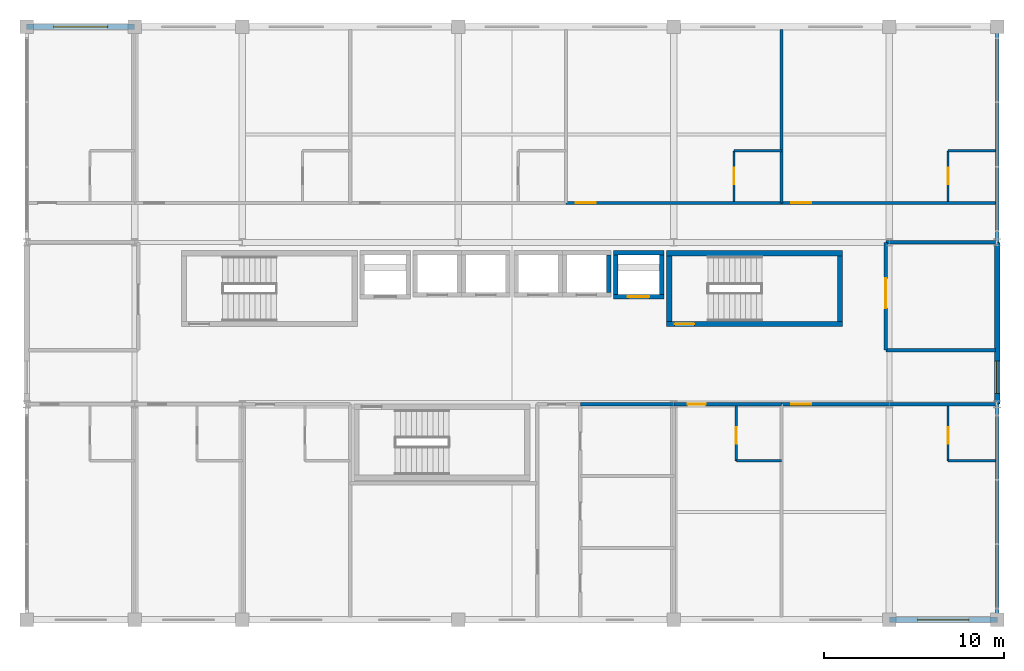
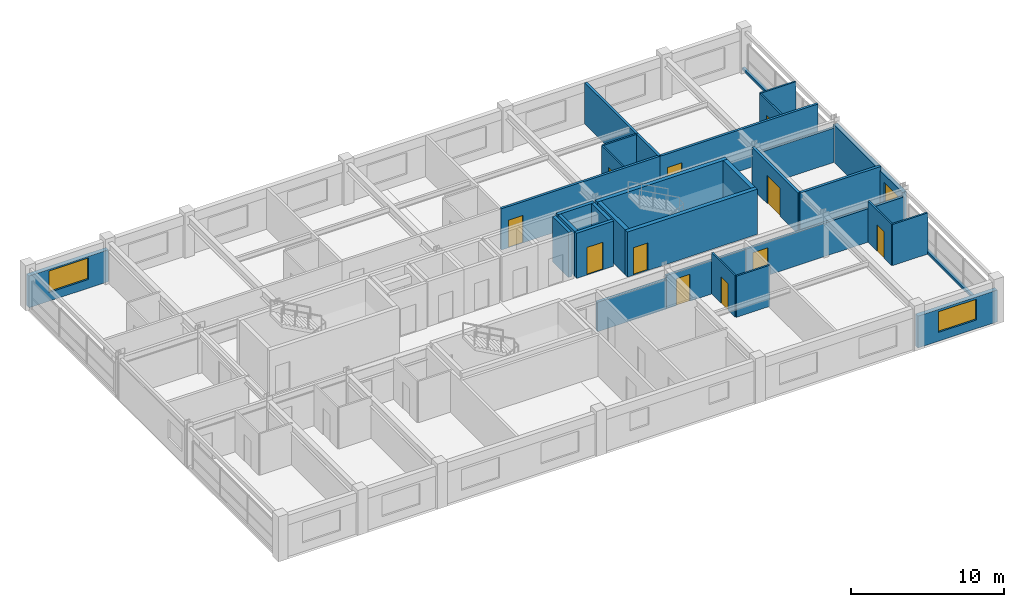
# One storey, part 18 of 20: 31 walls, 11 doors, 3 windows, 14 openings.
"""IFC4 building model written with IfcOpenShell, lengths in metres."""

from ifc_helpers import new_model, si_unit, direction, frame, frame_2d, origin, place, context, subcontext, project, spatial, rectangle, extrude, material, layer, layer_set, type_object, element, fill, save


model = new_model("IFC4")

# Units and contexts
model_context = context("Model", 3, precision=1e-05, world=origin(), true_north=direction((0.0, 1.0)))
body_context = subcontext(model_context, "Body", "Model", "MODEL_VIEW")
ifc_project = project(units=[si_unit("LENGTHUNIT", "METRE"), si_unit("AREAUNIT", "SQUARE_METRE"), si_unit("VOLUMEUNIT", "CUBIC_METRE"), si_unit("PLANEANGLEUNIT", "RADIAN"), si_unit("MASSUNIT", "GRAM", prefix="KILO")], contexts=[model_context])

# Site, building, storey
site_placement = place(None, origin())
site = spatial("IfcSite", under=ifc_project, at=site_placement, CompositionType="ELEMENT")
building_placement = place(site_placement, origin())
building = spatial("IfcBuilding", under=site, at=building_placement, Name="Kaldorvane Square Convention Centre", CompositionType="ELEMENT")
storey_placement = place(building_placement, frame((0.0, 0.0, 56.399993896484375)))
storey = spatial("IfcBuildingStorey", under=building, at=storey_placement, Name="L13", CompositionType="ELEMENT", Elevation=56.399993896484375)

# Wall, opening, door
ifc_material_1 = material(Name="Fire-Rated Gypsum Board on Acoustic Steel Studs", Category="steel")
ifc_layer_1 = layer(ifc_material_1, 0.125)
ifc_layer_set_1 = layer_set([ifc_layer_1], Name="Fire-Rated Gypsum Board on Acoustic Steel Studs")
wall_type_1 = type_object("IfcWallType", Name="WL-BATH-125", PredefinedType="PARTITIONING", material=ifc_layer_set_1)
wall_1_placement = place(storey_placement, frame((69.35000610351562, 107.28999328613281, 0.0), z_axis=(0.0, 0.0, 1.0), x_axis=(0.0, 1.0, 0.0)))
wall_1 = element("IfcWall", 1, at=wall_1_placement, inside=storey, type_object=wall_type_1, Name="En-Suite 1304 West Wall", PredefinedType="PARTITIONING", context=body_context, shape_type="SweptSolid", body=[
    extrude(rectangle(XDim=2.8100128173828125, YDim=0.125, at=frame_2d((1.404998779296875, 0.0))), origin(), (0.0, 0.0, 1.0), 3.290008544921875),
])
opening_1_placement = place(wall_1_placement, frame((0.9499969482421875, 0.0, 0.0)))
opening_1 = element("IfcOpeningElement", 2, at=opening_1_placement, cuts=wall_1, Name="Opening ID-12", PredefinedType="OPENING", context=body_context, shape_type="SweptSolid", body=[
    extrude(rectangle(XDim=0.9199981689453125, YDim=2.100006103515625, at=frame_2d((0.459991455078125, 1.0500030517578125))), frame((0.0, 0.0774993896484375, 0.0), z_axis=(0.0, -1.0, 0.0), x_axis=(1.0, 0.0, 0.0)), (0.0, 0.0, 1.0), 0.154998779296875),
])
ifc_material_2 = material(Name="Architectural Solid-Core White Oak")
door_type_1 = type_object("IfcDoorType", Name="DR-BATH-0920X2100", OperationType="SINGLE_SWING_RIGHT", PredefinedType="DOOR", material=ifc_material_2)
door_1_placement = place(opening_1_placement, origin())
door_1 = element("IfcDoor", 3, at=door_1_placement, inside=storey, type_object=door_type_1, Name="En-Suite Bathroom 1304 Door", OperationType="SINGLE_SWING_RIGHT", OverallHeight=2.100006103515625, OverallWidth=0.9199981689453125, PredefinedType="DOOR", context=body_context, shape_type="SweptSolid", body=[
    extrude(rectangle(XDim=0.9199981689453125, YDim=2.100006103515625, at=frame_2d((0.459991455078125, 1.0500030517578125))), frame((0.0, 0.024993896484375, 0.0), z_axis=(0.0, -1.0, 0.0), x_axis=(1.0, 0.0, 0.0)), (0.0, 0.0, 1.0), 0.0500030517578125),
])
fill(opening_1, door_1)

# Wall
wall_2_placement = place(storey_placement, frame((69.35000610351562, 110.10000610351562, 0.0), z_axis=(0.0, 0.0, 1.0), x_axis=(1.0, 0.0, 0.0)))
element("IfcWall", 4, at=wall_2_placement, inside=storey, type_object=wall_type_1, Name="En-Suite 1304 North Wall", PredefinedType="PARTITIONING", context=body_context, shape_type="SweptSolid", body=[
    extrude(rectangle(XDim=2.649993896484375, YDim=0.125, at=frame_2d((1.3249969482421875, 0.0))), origin(), (0.0, 0.0, 1.0), 3.290008544921875),
])

# Wall, opening, door
wall_3_placement = place(storey_placement, frame((81.26499938964844, 107.28999328613281, 0.0), z_axis=(0.0, 0.0, 1.0), x_axis=(0.0, 1.0, 0.0)))
wall_3 = element("IfcWall", 5, at=wall_3_placement, inside=storey, type_object=wall_type_1, Name="En-Suite 1305 West Wall", PredefinedType="PARTITIONING", context=body_context, shape_type="SweptSolid", body=[
    extrude(rectangle(XDim=2.8100128173828125, YDim=0.125, at=frame_2d((1.404998779296875, 0.0))), origin(), (0.0, 0.0, 1.0), 3.290008544921875),
])
opening_2_placement = place(wall_3_placement, frame((0.9499969482421875, 0.0, 0.0)))
opening_2 = element("IfcOpeningElement", 6, at=opening_2_placement, cuts=wall_3, Name="Opening ID-12", PredefinedType="OPENING", context=body_context, shape_type="SweptSolid", body=[
    extrude(rectangle(XDim=0.9199981689453125, YDim=2.100006103515625, at=frame_2d((0.459991455078125, 1.0500030517578125))), frame((0.0, 0.0774993896484375, 0.0), z_axis=(0.0, -1.0, 0.0), x_axis=(1.0, 0.0, 0.0)), (0.0, 0.0, 1.0), 0.154998779296875),
])
door_2_placement = place(opening_2_placement, origin())
door_2 = element("IfcDoor", 7, at=door_2_placement, inside=storey, type_object=door_type_1, Name="En-Suite Bathroom 1305 Door", OperationType="SINGLE_SWING_RIGHT", OverallHeight=2.100006103515625, OverallWidth=0.9199981689453125, PredefinedType="DOOR", context=body_context, shape_type="SweptSolid", body=[
    extrude(rectangle(XDim=0.9199981689453125, YDim=2.100006103515625, at=frame_2d((0.459991455078125, 1.0500030517578125))), frame((0.0, 0.024993896484375, 0.0), z_axis=(0.0, -1.0, 0.0), x_axis=(1.0, 0.0, 0.0)), (0.0, 0.0, 1.0), 0.0500030517578125),
])
fill(opening_2, door_2)

# Wall
wall_4_placement = place(storey_placement, frame((81.26499938964844, 110.10000610351562, 0.0), z_axis=(0.0, 0.0, 1.0), x_axis=(1.0, 0.0, 0.0)))
element("IfcWall", 8, at=wall_4_placement, inside=storey, type_object=wall_type_1, Name="En-Suite 1305 North Wall", PredefinedType="PARTITIONING", context=body_context, shape_type="SweptSolid", body=[
    extrude(rectangle(XDim=2.649993896484375, YDim=0.125, at=frame_2d((1.3249969482421875, 0.0))), origin(), (0.0, 0.0, 1.0), 3.290008544921875),
])

# Wall, opening, door
wall_5_placement = place(storey_placement, frame((69.47999572753906, 92.85000610351562, 0.0), z_axis=(0.0, 0.0, 1.0), x_axis=(0.0, 1.0, 0.0)))
wall_5 = element("IfcWall", 9, at=wall_5_placement, inside=storey, type_object=wall_type_1, Name="En-Suite 1309 West Wall", PredefinedType="PARTITIONING", context=body_context, shape_type="SweptSolid", body=[
    extrude(rectangle(XDim=3.05999755859375, YDim=0.125, at=frame_2d((1.529998779296875, 0.0))), origin(), (0.0, 0.0, 1.0), 3.290008544921875),
])
opening_3_placement = place(wall_5_placement, frame((0.9499969482421875, 0.0, 0.0)))
opening_3 = element("IfcOpeningElement", 10, at=opening_3_placement, cuts=wall_5, Name="Opening ID-12", PredefinedType="OPENING", context=body_context, shape_type="SweptSolid", body=[
    extrude(rectangle(XDim=0.9199981689453125, YDim=2.100006103515625, at=frame_2d((0.459991455078125, 1.0500030517578125))), frame((0.0, 0.0774993896484375, 0.0), z_axis=(0.0, -1.0, 0.0), x_axis=(1.0, 0.0, 0.0)), (0.0, 0.0, 1.0), 0.154998779296875),
])
door_3_placement = place(opening_3_placement, origin())
door_3 = element("IfcDoor", 11, at=door_3_placement, inside=storey, type_object=door_type_1, Name="En-Suite Bathroom 1309 Door", OperationType="SINGLE_SWING_RIGHT", OverallHeight=2.100006103515625, OverallWidth=0.9199981689453125, PredefinedType="DOOR", context=body_context, shape_type="SweptSolid", body=[
    extrude(rectangle(XDim=0.9199981689453125, YDim=2.100006103515625, at=frame_2d((0.459991455078125, 1.0500030517578125))), frame((0.0, 0.024993896484375, 0.0), z_axis=(0.0, -1.0, 0.0), x_axis=(1.0, 0.0, 0.0)), (0.0, 0.0, 1.0), 0.0500030517578125),
])
fill(opening_3, door_3)

# Wall
wall_6_placement = place(storey_placement, frame((69.47999572753906, 92.85000610351562, 0.0), z_axis=(0.0, 0.0, 1.0), x_axis=(1.0, 0.0, 0.0)))
element("IfcWall", 12, at=wall_6_placement, inside=storey, type_object=wall_type_1, Name="En-Suite 1309 South Wall", PredefinedType="PARTITIONING", context=body_context, shape_type="SweptSolid", body=[
    extrude(rectangle(XDim=2.5200042724609375, YDim=0.125, at=frame_2d((1.260009765625, 0.0))), origin(), (0.0, 0.0, 1.0), 3.290008544921875),
])

# Wall, opening, door
wall_7_placement = place(storey_placement, frame((81.26499938964844, 92.85000610351562, 0.0), z_axis=(0.0, 0.0, 1.0), x_axis=(0.0, 1.0, 0.0)))
wall_7 = element("IfcWall", 13, at=wall_7_placement, inside=storey, type_object=wall_type_1, Name="En-Suite 1310 West Wall", PredefinedType="PARTITIONING", context=body_context, shape_type="SweptSolid", body=[
    extrude(rectangle(XDim=3.05999755859375, YDim=0.125, at=frame_2d((1.529998779296875, 0.0))), origin(), (0.0, 0.0, 1.0), 3.290008544921875),
])
opening_4_placement = place(wall_7_placement, frame((0.9499969482421875, 0.0, 0.0)))
opening_4 = element("IfcOpeningElement", 14, at=opening_4_placement, cuts=wall_7, Name="Opening ID-12", PredefinedType="OPENING", context=body_context, shape_type="SweptSolid", body=[
    extrude(rectangle(XDim=0.9199981689453125, YDim=2.100006103515625, at=frame_2d((0.459991455078125, 1.0500030517578125))), frame((0.0, 0.0774993896484375, 0.0), z_axis=(0.0, -1.0, 0.0), x_axis=(1.0, 0.0, 0.0)), (0.0, 0.0, 1.0), 0.154998779296875),
])
door_4_placement = place(opening_4_placement, origin())
door_4 = element("IfcDoor", 15, at=door_4_placement, inside=storey, type_object=door_type_1, Name="En-Suite Bathroom 1310 Door", OperationType="SINGLE_SWING_RIGHT", OverallHeight=2.100006103515625, OverallWidth=0.9199981689453125, PredefinedType="DOOR", context=body_context, shape_type="SweptSolid", body=[
    extrude(rectangle(XDim=0.9199981689453125, YDim=2.100006103515625, at=frame_2d((0.459991455078125, 1.0500030517578125))), frame((0.0, 0.024993896484375, 0.0), z_axis=(0.0, -1.0, 0.0), x_axis=(1.0, 0.0, 0.0)), (0.0, 0.0, 1.0), 0.0500030517578125),
])
fill(opening_4, door_4)

# Walls
wall_8_placement = place(storey_placement, frame((81.26499938964844, 92.85000610351562, 0.0), z_axis=(0.0, 0.0, 1.0), x_axis=(1.0, 0.0, 0.0)))
element("IfcWall", 16, at=wall_8_placement, inside=storey, type_object=wall_type_1, Name="En-Suite 1310 South Wall", PredefinedType="PARTITIONING", context=body_context, shape_type="SweptSolid", body=[
    extrude(rectangle(XDim=2.649993896484375, YDim=0.125, at=frame_2d((1.3249969482421875, 0.0))), origin(), (0.0, 0.0, 1.0), 3.290008544921875),
])
ifc_layer_2 = layer(ifc_material_1, 0.1999969482421875)
ifc_layer_set_2 = layer_set([ifc_layer_2], Name="Fire-Rated Gypsum Board on Acoustic Steel Studs")
wall_type_2 = type_object("IfcWallType", Name="WL-CORR-200", PredefinedType="PARTITIONING", material=ifc_layer_set_2)
wall_9_placement = place(storey_placement, frame((60.80000305175781, 96.0, 0.0), z_axis=(0.0, 0.0, 1.0), x_axis=(1.0, 0.0, 0.0)))
element("IfcWall", 17, at=wall_9_placement, inside=storey, type_object=wall_type_2, Name="Restroom North Wall (L13)", PredefinedType="PARTITIONING", context=body_context, shape_type="SweptSolid", body=[
    extrude(rectangle(XDim=5.1999969482421875, YDim=0.1999969482421875, at=frame_2d((2.600006103515625, 0.0))), origin(), (0.0, 0.0, 1.0), 2.3590087890625),
])
wall_10_placement = place(storey_placement, frame((77.80000305175781, 99.0, 0.0), z_axis=(0.0, 0.0, 1.0), x_axis=(1.0, 0.0, 0.0)))
element("IfcWall", 18, at=wall_10_placement, inside=storey, type_object=wall_type_2, Name="East Square View Lounge (L13) S Wall", PredefinedType="PARTITIONING", context=body_context, shape_type="SweptSolid", body=[
    extrude(rectangle(XDim=6.114990234375, YDim=0.1999969482421875, at=frame_2d((3.0574951171875, 0.0))), origin(), (0.0, 0.0, 1.0), 3.290008544921875),
])
wall_11_placement = place(storey_placement, frame((83.91499328613281, 105.0, 0.0), z_axis=(0.0, 0.0, 1.0), x_axis=(-1.0, 0.0, 0.0)))
element("IfcWall", 19, at=wall_11_placement, inside=storey, type_object=wall_type_2, Name="East Square View Lounge (L13) N Wall", PredefinedType="PARTITIONING", context=body_context, shape_type="SweptSolid", body=[
    extrude(rectangle(XDim=6.114990234375, YDim=0.1999969482421875, at=frame_2d((3.0574951171875, 0.0))), origin(), (0.0, 0.0, 1.0), 2.7360076904296875),
])

# Wall, opening, door
wall_12_placement = place(storey_placement, frame((77.80000305175781, 105.0, 0.0), z_axis=(0.0, 0.0, 1.0), x_axis=(0.0, -1.0, 0.0)))
wall_12 = element("IfcWall", 20, at=wall_12_placement, inside=storey, type_object=wall_type_2, Name="East Square View Lounge (L13) W Wall", PredefinedType="PARTITIONING", context=body_context, shape_type="SweptSolid", body=[
    extrude(rectangle(XDim=6.0, YDim=0.1999969482421875, at=frame_2d((3.0, 0.0))), origin(), (0.0, 0.0, 1.0), 3.290008544921875),
])
opening_5_placement = place(wall_12_placement, frame((2.0, 0.0, 0.0)))
opening_5 = element("IfcOpeningElement", 21, at=opening_5_placement, cuts=wall_12, Name="Opening ID-16", PredefinedType="OPENING", context=body_context, shape_type="SweptSolid", body=[
    extrude(rectangle(XDim=1.649993896484375, YDim=2.25, at=frame_2d((0.8249969482421875, 1.125))), frame((0.0, 0.114990234375, 0.0), z_axis=(0.0, -1.0, 0.0), x_axis=(1.0, 0.0, 0.0)), (0.0, 0.0, 1.0), 0.2299957275390625),
])
ifc_material_3 = material(Name="Acoustic Laminated Glass in Aluminum Frame", Category="aluminium")
door_type_2 = type_object("IfcDoorType", Name="DR-GL-1650X2250", OperationType="DOUBLE_DOOR_SINGLE_SWING", PredefinedType="DOOR", material=ifc_material_3)
door_5_placement = place(opening_5_placement, origin())
door_5 = element("IfcDoor", 22, at=door_5_placement, inside=storey, type_object=door_type_2, Name="East Square View Lounge (L13) Door 1", OperationType="DOUBLE_DOOR_SINGLE_SWING", OverallHeight=2.25, OverallWidth=1.649993896484375, PredefinedType="DOOR", context=body_context, shape_type="SweptSolid", body=[
    extrude(rectangle(XDim=1.649993896484375, YDim=2.25, at=frame_2d((0.8249969482421875, 1.125))), frame((0.0, 0.024993896484375, 0.0), z_axis=(0.0, -1.0, 0.0), x_axis=(1.0, 0.0, 0.0)), (0.0, 0.0, 1.0), 0.0500030517578125),
])
fill(opening_5, door_5)

# Wall, opening, window
ifc_material_4 = material(Name="Concrete f'c = 35 MPa (Normalweight)", Category="concrete")
ifc_layer_3 = layer(ifc_material_4, 0.32000732421875)
ifc_layer_set_3 = layer_set([ifc_layer_3], Name="Concrete f'c = 35 MPa (Normalweight)")
wall_type_3 = type_object("IfcWallType", Name="WL-EXT-320", PredefinedType="STANDARD", material=ifc_layer_set_3)
wall_13_placement = place(storey_placement, frame((78.0, 84.0, 0.0), z_axis=(0.0, 0.0, 1.0), x_axis=(1.0, 0.0, 0.0)))
wall_13 = element("IfcWall", 23, at=wall_13_placement, inside=storey, type_object=wall_type_3, Name="Hotel S Brutalist Facade Wall (L13)", PredefinedType="STANDARD", context=body_context, shape_type="SweptSolid", body=[
    extrude(rectangle(XDim=6.0, YDim=0.32000732421875, at=frame_2d((3.0, 0.0))), origin(), (0.0, 0.0, 1.0), 2.5360107421875),
])
opening_6_placement = place(wall_13_placement, frame((1.5749969482421875, 0.0, 0.6999969482421875)))
opening_6 = element("IfcOpeningElement", 24, at=opening_6_placement, cuts=wall_13, Name="Opening W-04", PredefinedType="OPENING", context=body_context, shape_type="SweptSolid", body=[
    extrude(rectangle(XDim=2.850006103515625, YDim=1.649993896484375, at=frame_2d((1.4250030517578125, 0.8249969482421875))), frame((0.0, 0.1750030517578125, 0.0), z_axis=(0.0, -1.0, 0.0), x_axis=(1.0, 0.0, 0.0)), (0.0, 0.0, 1.0), 0.350006103515625),
])
ifc_material_5 = material(Name="Anodized Aluminum and Low-E Insulated Glazing", Category="aluminium")
window_type_1 = type_object("IfcWindowType", Name="WN-HTL-2850X1650", PartitioningType="TRIPLE_PANEL_VERTICAL", PredefinedType="WINDOW", material=ifc_material_5)
window_1_placement = place(opening_6_placement, origin())
window_1 = element("IfcWindow", 25, at=window_1_placement, inside=storey, type_object=window_type_1, Name="Hotel S Window (L13)", OverallHeight=1.649993896484375, OverallWidth=2.850006103515625, PartitioningType="TRIPLE_PANEL_VERTICAL", PredefinedType="WINDOW", context=body_context, shape_type="SweptSolid", body=[
    extrude(rectangle(XDim=2.850006103515625, YDim=1.649993896484375, at=frame_2d((1.4250030517578125, 0.8249969482421875))), frame((0.0, 0.029998779296875, 0.0), z_axis=(0.0, -1.0, 0.0), x_axis=(1.0, 0.0, 0.0)), (0.0, 0.0, 1.0), 0.05999755859375),
])
fill(opening_6, window_1)

wall_14_placement = place(storey_placement, frame((36.0, 117.0, 0.0), z_axis=(0.0, 0.0, 1.0), x_axis=(-1.0, 0.0, 0.0)))
wall_14 = element("IfcWall", 26, at=wall_14_placement, inside=storey, type_object=wall_type_3, Name="Hotel N Brutalist Facade Wall (L13)", PredefinedType="STANDARD", context=body_context, shape_type="SweptSolid", body=[
    extrude(rectangle(XDim=6.0, YDim=0.32000732421875, at=frame_2d((3.0, 0.0))), origin(), (0.0, 0.0, 1.0), 2.5360107421875),
])
opening_7_placement = place(wall_14_placement, frame((1.5, 0.0, 0.6999969482421875)))
opening_7 = element("IfcOpeningElement", 27, at=opening_7_placement, cuts=wall_14, Name="Opening W-09", PredefinedType="OPENING", context=body_context, shape_type="SweptSolid", body=[
    extrude(rectangle(XDim=3.0, YDim=1.7100067138671875, at=frame_2d((1.5, 0.855010986328125))), frame((0.0, 0.1750030517578125, 0.0), z_axis=(0.0, -1.0, 0.0), x_axis=(1.0, 0.0, 0.0)), (0.0, 0.0, 1.0), 0.350006103515625),
])
window_type_2 = type_object("IfcWindowType", Name="WN-HTL-3000X1750", PartitioningType="TRIPLE_PANEL_VERTICAL", PredefinedType="WINDOW", material=ifc_material_5)
window_2_placement = place(opening_7_placement, origin())
window_2 = element("IfcWindow", 28, at=window_2_placement, inside=storey, type_object=window_type_2, Name="Hotel N Window (L13)", OverallHeight=1.7100067138671875, OverallWidth=3.0, PartitioningType="TRIPLE_PANEL_VERTICAL", PredefinedType="WINDOW", context=body_context, shape_type="SweptSolid", body=[
    extrude(rectangle(XDim=3.0, YDim=1.7100067138671875, at=frame_2d((1.5, 0.855010986328125))), frame((0.0, 0.029998779296875, 0.0), z_axis=(0.0, -1.0, 0.0), x_axis=(1.0, 0.0, 0.0)), (0.0, 0.0, 1.0), 0.05999755859375),
])
fill(opening_7, window_2)

wall_15_placement = place(storey_placement, frame((84.0, 96.0, 0.0), z_axis=(0.0, 0.0, 1.0), x_axis=(0.0, 1.0, 0.0)))
wall_15 = element("IfcWall", 29, at=wall_15_placement, inside=storey, type_object=wall_type_3, Name="Hotel E End Wall (L13)", PredefinedType="STANDARD", context=body_context, shape_type="SweptSolid", body=[
    extrude(rectangle(XDim=9.0, YDim=0.32000732421875, at=frame_2d((4.5, 0.0))), origin(), (0.0, 0.0, 1.0), 2.9810028076171875),
])
opening_8_placement = place(wall_15_placement, frame((0.600006103515625, 0.0, 0.850006103515625)))
opening_8 = element("IfcOpeningElement", 30, at=opening_8_placement, cuts=wall_15, Name="Opening W-11", PredefinedType="OPENING", context=body_context, shape_type="SweptSolid", body=[
    extrude(rectangle(XDim=1.8000030517578125, YDim=1.5, at=frame_2d((0.899993896484375, 0.75))), frame((0.0, 0.1750030517578125, 0.0), z_axis=(0.0, -1.0, 0.0), x_axis=(1.0, 0.0, 0.0)), (0.0, 0.0, 1.0), 0.350006103515625),
])
window_type_3 = type_object("IfcWindowType", Name="WN-HTL-1800X1500", PartitioningType="SINGLE_PANEL", PredefinedType="WINDOW", material=ifc_material_5)
window_3_placement = place(opening_8_placement, origin())
window_3 = element("IfcWindow", 31, at=window_3_placement, inside=storey, type_object=window_type_3, Name="Hotel End Window E (L13)", OverallHeight=1.5, OverallWidth=1.8000030517578125, PartitioningType="SINGLE_PANEL", PredefinedType="WINDOW", context=body_context, shape_type="SweptSolid", body=[
    extrude(rectangle(XDim=1.8000030517578125, YDim=1.5, at=frame_2d((0.899993896484375, 0.75))), frame((0.0, 0.029998779296875, 0.0), z_axis=(0.0, -1.0, 0.0), x_axis=(1.0, 0.0, 0.0)), (0.0, 0.0, 1.0), 0.05999755859375),
])
fill(opening_8, window_3)

# Walls
ifc_layer_4 = layer(ifc_material_4, 0.220001220703125)
ifc_layer_set_4 = layer_set([ifc_layer_4], Name="Concrete f'c = 35 MPa (Normalweight)")
wall_type_4 = type_object("IfcWallType", Name="WL-PAR-220", PredefinedType="PARAPET", material=ifc_layer_set_4)
for number, where, z_axis, x_axis, name in (
    (32, (84.0, 84.0, 0.0), (0.0, 0.0, 1.0), (0.0, 1.0, 0.0), "Hotel End Curtain-Wall Sill (L13)"),
    (33, (84.0, 105.0, 0.0), (0.0, 0.0, 1.0), (0.0, 1.0, 0.0), "Hotel End Curtain-Wall Sill (L13)"),
):
    element("IfcWall", number, at=place(storey_placement, frame(where, z_axis=z_axis, x_axis=x_axis)), inside=storey, type_object=wall_type_4, Name=name, PredefinedType="PARAPET", context=body_context, shape_type="SweptSolid", body=[
        extrude(rectangle(XDim=12.0, YDim=0.220001220703125, at=frame_2d((6.0, 0.0))), origin(), (0.0, 0.0, 1.0), 0.20001220703125),
    ])

# Wall, opening, door
ifc_material_6 = material(Name="Concrete f'c = 55 MPa (Normalweight)", Category="concrete")
ifc_layer_5 = layer(ifc_material_6, 0.3000030517578125)
ifc_layer_set_5 = layer_set([ifc_layer_5], Name="Concrete f'c = 55 MPa (Normalweight)")
wall_type_5 = type_object("IfcWallType", Name="WL-SHAFT-300", PredefinedType="SHEAR", material=ifc_layer_set_5)
wall_16_placement = place(storey_placement, frame((65.60000610351562, 100.46000671386719, 0.0), z_axis=(0.0, 0.0, 1.0), x_axis=(1.0, 0.0, 0.0)))
wall_16 = element("IfcWall", 34, at=wall_16_placement, inside=storey, type_object=wall_type_5, Name="Core Enclosure Wall stair:ST-T2-S (L13)", PredefinedType="SHEAR", context=body_context, shape_type="SweptSolid", body=[
    extrude(rectangle(XDim=9.79998779296875, YDim=0.3000030517578125, at=frame_2d((4.899993896484375, 0.0))), origin(), (0.0, 0.0, 1.0), 3.600006103515625),
])
opening_9_placement = place(wall_16_placement, frame((0.4499969482421875, 0.0, 0.0)))
opening_9 = element("IfcOpeningElement", 35, at=opening_9_placement, cuts=wall_16, Name="Opening FD90-S1", PredefinedType="OPENING", context=body_context, shape_type="SweptSolid", body=[
    extrude(rectangle(XDim=1.100006103515625, YDim=2.1999969482421875, at=frame_2d((0.5500030517578125, 1.100006103515625))), frame((0.0, 0.165008544921875, 0.0), z_axis=(0.0, -1.0, 0.0), x_axis=(1.0, 0.0, 0.0)), (0.0, 0.0, 1.0), 0.3300018310546875),
])
ifc_material_7 = material(Name="Fire-Rated Hollow Metal Steel", Category="steel")
door_type_3 = type_object("IfcDoorType", Name="DR-STAIR-1100", OperationType="SINGLE_SWING_RIGHT", PredefinedType="DOOR", material=ifc_material_7)
door_6_placement = place(opening_9_placement, origin())
door_6 = element("IfcDoor", 36, at=door_6_placement, inside=storey, type_object=door_type_3, Name="Tower Exit Stair T2 Fire Door (L13)", OperationType="SINGLE_SWING_RIGHT", OverallHeight=2.1999969482421875, OverallWidth=1.100006103515625, PredefinedType="DOOR", context=body_context, shape_type="SweptSolid", body=[
    extrude(rectangle(XDim=1.100006103515625, YDim=2.1999969482421875, at=frame_2d((0.5500030517578125, 1.100006103515625))), frame((0.0, 0.024993896484375, 0.0), z_axis=(0.0, -1.0, 0.0), x_axis=(1.0, 0.0, 0.0)), (0.0, 0.0, 1.0), 0.0500030517578125),
])
fill(opening_9, door_6)

# Walls
wall_17_placement = place(storey_placement, frame((75.39999389648438, 104.39999389648438, 0.0), z_axis=(0.0, 0.0, 1.0), x_axis=(-1.0, 0.0, 0.0)))
element("IfcWall", 37, at=wall_17_placement, inside=storey, type_object=wall_type_5, Name="Core Enclosure Wall stair:ST-T2-N (L13)", PredefinedType="SHEAR", context=body_context, shape_type="SweptSolid", body=[
    extrude(rectangle(XDim=9.79998779296875, YDim=0.3000030517578125, at=frame_2d((4.899993896484375, 0.0))), origin(), (0.0, 0.0, 1.0), 3.600006103515625),
])
for number, where, z_axis, x_axis, name in (
    (38, (65.75, 104.25, 0.0), (0.0, 0.0, 1.0), (0.0, -1.0, 0.0), "Core Enclosure Wall stair:ST-T2-W (L13)"),
    (39, (75.25, 100.61000061035156, 0.0), (0.0, 0.0, 1.0), (0.0, 1.0, 0.0), "Core Enclosure Wall stair:ST-T2-E (L13)"),
):
    element("IfcWall", number, at=place(storey_placement, frame(where, z_axis=z_axis, x_axis=x_axis)), inside=storey, type_object=wall_type_5, Name=name, PredefinedType="SHEAR", context=body_context, shape_type="SweptSolid", body=[
        extrude(rectangle(XDim=3.6399993896484375, YDim=0.3000030517578125, at=frame_2d((1.82000732421875, 0.0))), origin(), (0.0, 0.0, 1.0), 3.600006103515625),
    ])

# Wall, opening, door
wall_18_placement = place(storey_placement, frame((62.649993896484375, 101.97500610351562, 0.0), z_axis=(0.0, 0.0, 1.0), x_axis=(1.0, 0.0, 0.0)))
wall_18 = element("IfcWall", 40, at=wall_18_placement, inside=storey, type_object=wall_type_5, Name="Core Enclosure Wall lift:FSAE-02-S (L13)", PredefinedType="SHEAR", context=body_context, shape_type="SweptSolid", body=[
    extrude(rectangle(XDim=2.8000030517578125, YDim=0.25, at=frame_2d((1.399993896484375, 0.0))), origin(), (0.0, 0.0, 1.0), 3.600006103515625),
])
opening_10_placement = place(wall_18_placement, frame((0.8000030517578125, 0.0, 0.0)))
opening_10 = element("IfcOpeningElement", 41, at=opening_10_placement, cuts=wall_18, Name="Opening LD-02", PredefinedType="OPENING", context=body_context, shape_type="SweptSolid", body=[
    extrude(rectangle(XDim=1.1999969482421875, YDim=2.1999969482421875, at=frame_2d((0.600006103515625, 1.100006103515625))), frame((0.0, 0.1399993896484375, 0.0), z_axis=(0.0, -1.0, 0.0), x_axis=(1.0, 0.0, 0.0)), (0.0, 0.0, 1.0), 0.279998779296875),
])
ifc_material_8 = material(Name="Stainless Steel Elevator Door Assembly", Category="steel")
door_type_4 = type_object("IfcDoorType", Name="DR-LIFT-1200", OperationType="DOUBLE_DOOR_SLIDING", PredefinedType="DOOR", material=ifc_material_8)
door_7_placement = place(opening_10_placement, origin())
door_7 = element("IfcDoor", 42, at=door_7_placement, inside=storey, type_object=door_type_4, Name="Elevator Landing Door FSAE-02 (L13)", OperationType="DOUBLE_DOOR_SLIDING", OverallHeight=2.1999969482421875, OverallWidth=1.1999969482421875, PredefinedType="DOOR", context=body_context, shape_type="SweptSolid", body=[
    extrude(rectangle(XDim=1.1999969482421875, YDim=2.1999969482421875, at=frame_2d((0.600006103515625, 1.100006103515625))), frame((0.0, 0.024993896484375, 0.0), z_axis=(0.0, -1.0, 0.0), x_axis=(1.0, 0.0, 0.0)), (0.0, 0.0, 1.0), 0.0500030517578125),
])
fill(opening_10, door_7)

# Walls
wall_19_placement = place(storey_placement, frame((65.44999694824219, 104.42500305175781, 0.0), z_axis=(0.0, 0.0, 1.0), x_axis=(-1.0, 0.0, 0.0)))
element("IfcWall", 43, at=wall_19_placement, inside=storey, type_object=wall_type_5, Name="Core Enclosure Wall lift:FSAE-02-N (L13)", PredefinedType="SHEAR", context=body_context, shape_type="SweptSolid", body=[
    extrude(rectangle(XDim=2.8000030517578125, YDim=0.25, at=frame_2d((1.399993896484375, 0.0))), origin(), (0.0, 0.0, 1.0), 3.600006103515625),
])
for number, where, z_axis, x_axis, name in (
    (44, (62.774993896484375, 104.30000305175781, 0.0), (0.0, 0.0, 1.0), (0.0, -1.0, 0.0), "Core Enclosure Wall lift:FSAE-02-W (L13)"),
    (45, (65.32499694824219, 102.10000610351562, 0.0), (0.0, 0.0, 1.0), (0.0, 1.0, 0.0), "Core Enclosure Wall lift:FSAE-02-E (L13)"),
):
    element("IfcWall", number, at=place(storey_placement, frame(where, z_axis=z_axis, x_axis=x_axis)), inside=storey, type_object=wall_type_5, Name=name, PredefinedType="SHEAR", context=body_context, shape_type="SweptSolid", body=[
        extrude(rectangle(XDim=2.1999969482421875, YDim=0.25, at=frame_2d((1.100006103515625, 0.0))), origin(), (0.0, 0.0, 1.0), 3.600006103515625),
    ])
wall_20_placement = place(storey_placement, frame((62.375, 102.19999694824219, 0.0), z_axis=(0.0, 0.0, 1.0), x_axis=(0.0, 1.0, 0.0)))
element("IfcWall", 46, at=wall_20_placement, inside=storey, type_object=wall_type_5, Name="Core Enclosure Wall lift:EL-P4-E (L13)", PredefinedType="SHEAR", context=body_context, shape_type="SweptSolid", body=[
    extrude(rectangle(XDim=2.100006103515625, YDim=0.25, at=frame_2d((1.0500030517578125, 0.0))), origin(), (0.0, 0.0, 1.0), 3.600006103515625),
])

# Wall, opening, door
ifc_layer_6 = layer(ifc_material_1, 0.17999267578125)
ifc_layer_set_6 = layer_set([ifc_layer_6], Name="Fire-Rated Gypsum Board on Acoustic Steel Studs")
wall_type_6 = type_object("IfcWallType", Name="WL-UNIT-180", PredefinedType="PARTITIONING", material=ifc_layer_set_6)
wall_21_placement = place(storey_placement, frame((60.0, 107.19999694824219, 0.0), z_axis=(0.0, 0.0, 1.0), x_axis=(1.0, 0.0, 0.0)))
wall_21 = element("IfcWall", 47, at=wall_21_placement, inside=storey, type_object=wall_type_6, Name="Presidential Suite 1304 Corridor Wall", PredefinedType="PARTITIONING", context=body_context, shape_type="SweptSolid", body=[
    extrude(rectangle(XDim=12.0, YDim=0.17999267578125, at=frame_2d((6.0, 0.0))), origin(), (0.0, 0.0, 1.0), 3.290008544921875),
])
opening_11_placement = place(wall_21_placement, frame((0.5500030517578125, 0.0, 0.0)))
opening_11 = element("IfcOpeningElement", 48, at=opening_11_placement, cuts=wall_21, Name="Opening ID-11", PredefinedType="OPENING", context=body_context, shape_type="SweptSolid", body=[
    extrude(rectangle(XDim=1.100006103515625, YDim=2.1999969482421875, at=frame_2d((0.5500030517578125, 1.100006103515625))), frame((0.0, 0.1049957275390625, 0.0), z_axis=(0.0, -1.0, 0.0), x_axis=(1.0, 0.0, 0.0)), (0.0, 0.0, 1.0), 0.209991455078125),
])
door_type_5 = type_object("IfcDoorType", Name="DR-SUITE-1100X2200", OperationType="SINGLE_SWING_LEFT", PredefinedType="DOOR", material=ifc_material_2)
door_8_placement = place(opening_11_placement, origin())
door_8 = element("IfcDoor", 49, at=door_8_placement, inside=storey, type_object=door_type_5, Name="Presidential Suite 1304 Entry Door", OperationType="SINGLE_SWING_LEFT", OverallHeight=2.1999969482421875, OverallWidth=1.100006103515625, PredefinedType="DOOR", context=body_context, shape_type="SweptSolid", body=[
    extrude(rectangle(XDim=1.100006103515625, YDim=2.1999969482421875, at=frame_2d((0.5500030517578125, 1.100006103515625))), frame((0.0, 0.024993896484375, 0.0), z_axis=(0.0, -1.0, 0.0), x_axis=(1.0, 0.0, 0.0)), (0.0, 0.0, 1.0), 0.0500030517578125),
])
fill(opening_11, door_8)

# Wall
wall_22_placement = place(storey_placement, frame((72.0, 107.19999694824219, 0.0), z_axis=(0.0, 0.0, 1.0), x_axis=(0.0, 1.0, 0.0)))
element("IfcWall", 50, at=wall_22_placement, inside=storey, type_object=wall_type_6, Name="Guestroom Demising Wall 1304", PredefinedType="PARTITIONING", context=body_context, shape_type="SweptSolid", body=[
    extrude(rectangle(XDim=9.639999389648438, YDim=0.17999267578125, at=frame_2d((4.82000732421875, 0.0))), origin(), (0.0, 0.0, 1.0), 3.290008544921875),
])

# Wall, opening, door
wall_23_placement = place(storey_placement, frame((72.0, 107.19999694824219, 0.0), z_axis=(0.0, 0.0, 1.0), x_axis=(1.0, 0.0, 0.0)))
wall_23 = element("IfcWall", 51, at=wall_23_placement, inside=storey, type_object=wall_type_6, Name="Presidential Suite 1305 Corridor Wall", PredefinedType="PARTITIONING", context=body_context, shape_type="SweptSolid", body=[
    extrude(rectangle(XDim=11.914993286132812, YDim=0.17999267578125, at=frame_2d((5.957489013671875, 0.0))), origin(), (0.0, 0.0, 1.0), 3.290008544921875),
])
opening_12_placement = place(wall_23_placement, frame((0.5500030517578125, 0.0, 0.0)))
opening_12 = element("IfcOpeningElement", 52, at=opening_12_placement, cuts=wall_23, Name="Opening ID-11", PredefinedType="OPENING", context=body_context, shape_type="SweptSolid", body=[
    extrude(rectangle(XDim=1.100006103515625, YDim=2.1999969482421875, at=frame_2d((0.5500030517578125, 1.100006103515625))), frame((0.0, 0.1049957275390625, 0.0), z_axis=(0.0, -1.0, 0.0), x_axis=(1.0, 0.0, 0.0)), (0.0, 0.0, 1.0), 0.209991455078125),
])
door_9_placement = place(opening_12_placement, origin())
door_9 = element("IfcDoor", 53, at=door_9_placement, inside=storey, type_object=door_type_5, Name="Presidential Suite 1305 Entry Door", OperationType="SINGLE_SWING_LEFT", OverallHeight=2.1999969482421875, OverallWidth=1.100006103515625, PredefinedType="DOOR", context=body_context, shape_type="SweptSolid", body=[
    extrude(rectangle(XDim=1.100006103515625, YDim=2.1999969482421875, at=frame_2d((0.5500030517578125, 1.100006103515625))), frame((0.0, 0.024993896484375, 0.0), z_axis=(0.0, -1.0, 0.0), x_axis=(1.0, 0.0, 0.0)), (0.0, 0.0, 1.0), 0.0500030517578125),
])
fill(opening_12, door_9)

wall_24_placement = place(storey_placement, frame((66.0, 96.0, 0.0), z_axis=(0.0, 0.0, 1.0), x_axis=(1.0, 0.0, 0.0)))
wall_24 = element("IfcWall", 54, at=wall_24_placement, inside=storey, type_object=wall_type_6, Name="Hotel Guest Room 1309 Corridor Wall", PredefinedType="PARTITIONING", context=body_context, shape_type="SweptSolid", body=[
    extrude(rectangle(XDim=6.0, YDim=0.17999267578125, at=frame_2d((3.0, 0.0))), origin(), (0.0, 0.0, 1.0), 2.66400146484375),
])
opening_13_placement = place(wall_24_placement, frame((0.7700042724609375, 0.0, 0.0)))
opening_13 = element("IfcOpeningElement", 55, at=opening_13_placement, cuts=wall_24, Name="Opening ID-10", PredefinedType="OPENING", context=body_context, shape_type="SweptSolid", body=[
    extrude(rectangle(XDim=1.0, YDim=2.149993896484375, at=frame_2d((0.5, 1.0749969482421875))), frame((0.0, 0.1049957275390625, 0.0), z_axis=(0.0, -1.0, 0.0), x_axis=(1.0, 0.0, 0.0)), (0.0, 0.0, 1.0), 0.209991455078125),
])
door_type_6 = type_object("IfcDoorType", Name="DR-GUEST-1000X2150", OperationType="SINGLE_SWING_LEFT", PredefinedType="DOOR", material=ifc_material_2)
door_10_placement = place(opening_13_placement, origin())
door_10 = element("IfcDoor", 56, at=door_10_placement, inside=storey, type_object=door_type_6, Name="Hotel Guest Room 1309 Entry Door", OperationType="SINGLE_SWING_LEFT", OverallHeight=2.149993896484375, OverallWidth=1.0, PredefinedType="DOOR", context=body_context, shape_type="SweptSolid", body=[
    extrude(rectangle(XDim=1.0, YDim=2.149993896484375, at=frame_2d((0.5, 1.0749969482421875))), frame((0.0, 0.024993896484375, 0.0), z_axis=(0.0, -1.0, 0.0), x_axis=(1.0, 0.0, 0.0)), (0.0, 0.0, 1.0), 0.0500030517578125),
])
fill(opening_13, door_10)

wall_25_placement = place(storey_placement, frame((72.0, 96.0, 0.0), z_axis=(0.0, 0.0, 1.0), x_axis=(1.0, 0.0, 0.0)))
wall_25 = element("IfcWall", 57, at=wall_25_placement, inside=storey, type_object=wall_type_6, Name="Presidential Suite 1310 Corridor Wall", PredefinedType="PARTITIONING", context=body_context, shape_type="SweptSolid", body=[
    extrude(rectangle(XDim=11.914993286132812, YDim=0.17999267578125, at=frame_2d((5.957489013671875, 0.0))), origin(), (0.0, 0.0, 1.0), 2.66400146484375),
])
opening_14_placement = place(wall_25_placement, frame((0.5500030517578125, 0.0, 0.0)))
opening_14 = element("IfcOpeningElement", 58, at=opening_14_placement, cuts=wall_25, Name="Opening ID-11", PredefinedType="OPENING", context=body_context, shape_type="SweptSolid", body=[
    extrude(rectangle(XDim=1.100006103515625, YDim=2.1999969482421875, at=frame_2d((0.5500030517578125, 1.100006103515625))), frame((0.0, 0.1049957275390625, 0.0), z_axis=(0.0, -1.0, 0.0), x_axis=(1.0, 0.0, 0.0)), (0.0, 0.0, 1.0), 0.209991455078125),
])
door_11_placement = place(opening_14_placement, origin())
door_11 = element("IfcDoor", 59, at=door_11_placement, inside=storey, type_object=door_type_5, Name="Presidential Suite 1310 Entry Door", OperationType="SINGLE_SWING_LEFT", OverallHeight=2.1999969482421875, OverallWidth=1.100006103515625, PredefinedType="DOOR", context=body_context, shape_type="SweptSolid", body=[
    extrude(rectangle(XDim=1.100006103515625, YDim=2.1999969482421875, at=frame_2d((0.5500030517578125, 1.100006103515625))), frame((0.0, 0.024993896484375, 0.0), z_axis=(0.0, -1.0, 0.0), x_axis=(1.0, 0.0, 0.0)), (0.0, 0.0, 1.0), 0.0500030517578125),
])
fill(opening_14, door_11)

save(model, "model.ifc")
